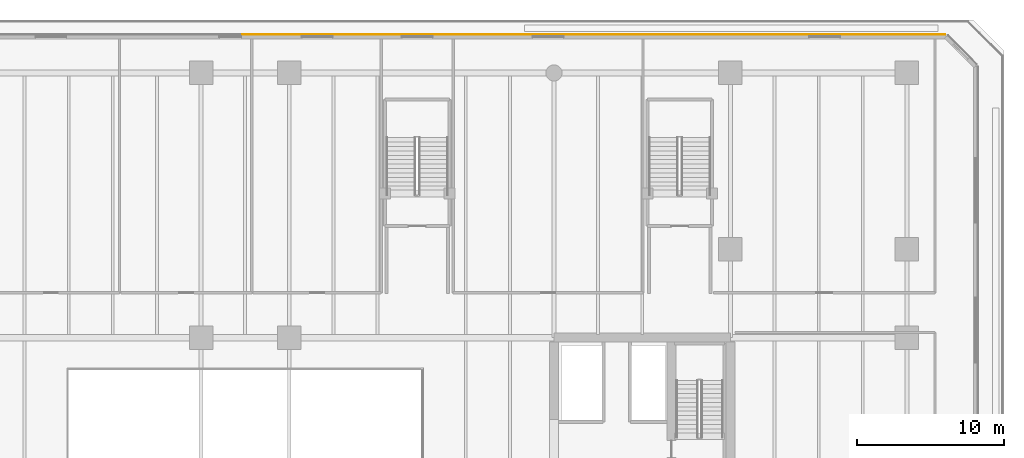
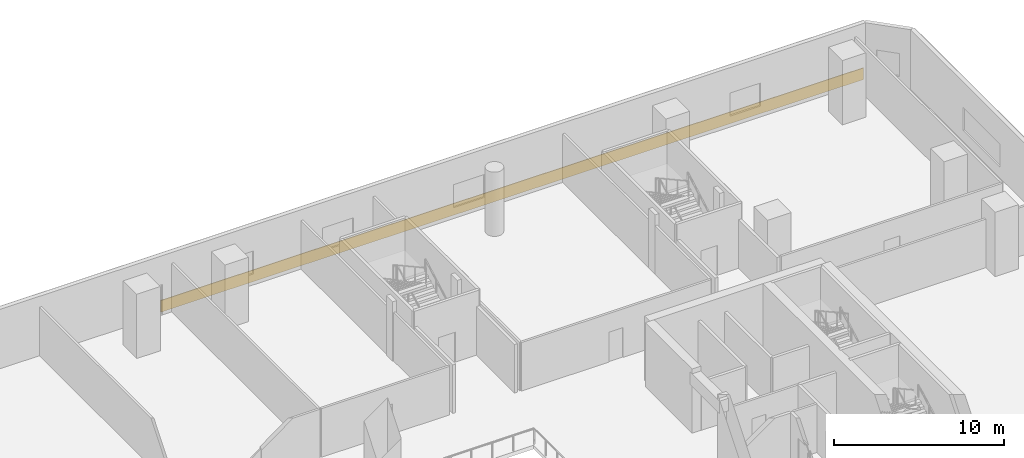
# One storey, part 25 of 27: 1 covering.
"""IFC4 building model written with IfcOpenShell, lengths in metres."""

from ifc_helpers import new_model, si_unit, direction, frame, origin, origin_2d, place, context, subcontext, project, spatial, rectangle, extrude, material, layer, layer_set, type_object, element, save


model = new_model("IFC4")

# Units and contexts
model_context = context("Model", 3, precision=1e-05, world=origin(), true_north=direction((0.0, 1.0)))
body_context = subcontext(model_context, "Body", "Model", "MODEL_VIEW")
ifc_project = project(units=[si_unit("LENGTHUNIT", "METRE"), si_unit("AREAUNIT", "SQUARE_METRE"), si_unit("VOLUMEUNIT", "CUBIC_METRE"), si_unit("PLANEANGLEUNIT", "RADIAN"), si_unit("MASSUNIT", "GRAM", prefix="KILO")], contexts=[model_context])

# Site, building, storey
site_placement = place(None, origin())
site = spatial("IfcSite", under=ifc_project, at=site_placement, CompositionType="ELEMENT")
building_placement = place(site_placement, origin())
building = spatial("IfcBuilding", under=site, at=building_placement, Name="Tanjung Sevakor Pilgrim Tower", CompositionType="ELEMENT")
storey_placement = place(building_placement, frame((0.0, 0.0, 19.469970703125)))
storey = spatial("IfcBuildingStorey", under=building, at=storey_placement, Name="L05", CompositionType="ELEMENT", Elevation=19.469970703125)

# Covering
ifc_material = material(Name="Reconstructed Limestone Cladding", Category="masonry")
ifc_layer = layer(ifc_material, 0.044921875)
ifc_layer_set = layer_set([ifc_layer], Name="COV-CLAD-LIMESTONE")
covering_type = type_object("IfcCoveringType", Name="COV-CLAD-LIMESTONE", PredefinedType="CLADDING", material=ifc_layer_set)
covering_placement = place(storey_placement, frame((80.7060546875, 63.222412109375, 0.009765625), z_axis=(0.0, 0.0, 1.0), x_axis=(-1.0, 0.0, 0.0)))
element("IfcCovering", 1, at=covering_placement, inside=storey, type_object=covering_type, Name="L05 Warm Limestone Sill Spandrel EW-L05-MAIN-5-1", PredefinedType="CLADDING", context=body_context, shape_type="SweptSolid", body=[
    extrude(rectangle(XDim=47.7919921875, YDim=0.044921875, at=origin_2d()), origin(), (0.0, 0.0, 1.0), 0.840087890625),
])

save(model, "model.ifc")
